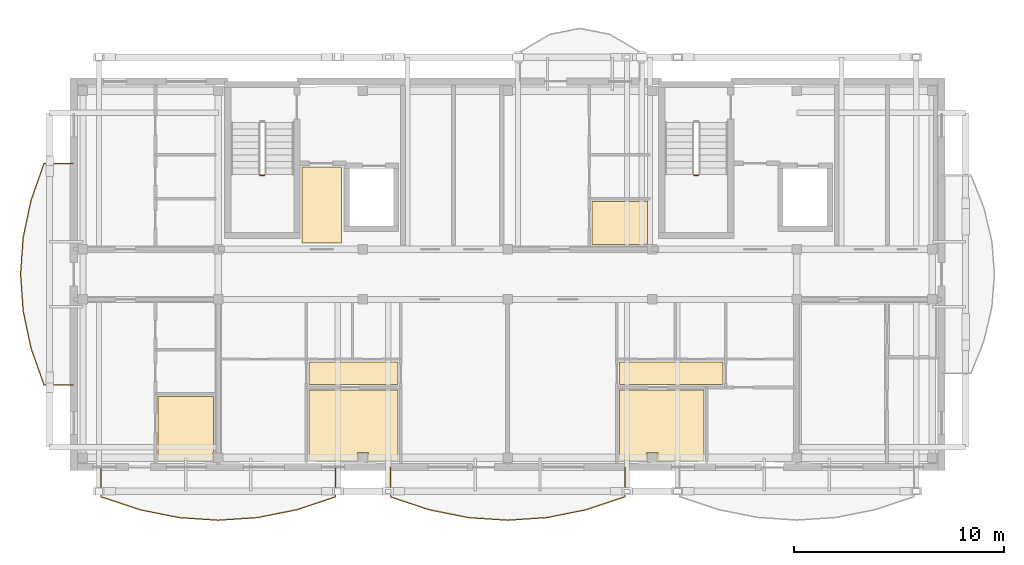
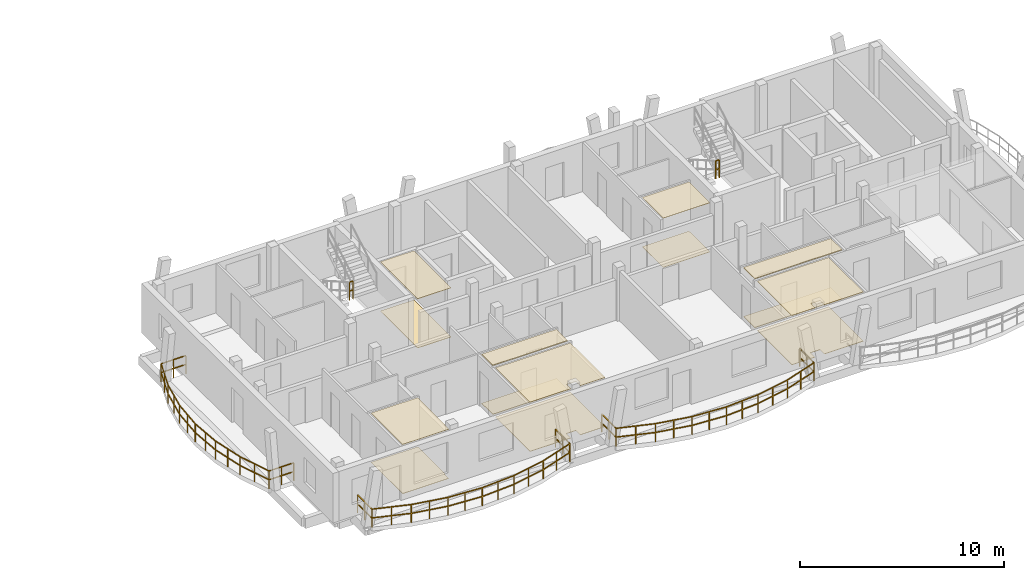
# One storey, part 23 of 29: 14 coverings, 5 railings.
"""IFC4 building model written with IfcOpenShell, lengths in metres."""

from ifc_helpers import new_model, si_unit, direction, frame, origin, origin_2d, place, context, subcontext, project, spatial, polyline, rectangle, outline, extrude, material, layer, layer_set, type_object, element, save


model = new_model("IFC4")

# Units and contexts
model_context = context("Model", 3, precision=1e-05, world=origin(), true_north=direction((0.0, 1.0)))
body_context = subcontext(model_context, "Body", "Model", "MODEL_VIEW")
ifc_project = project(units=[si_unit("LENGTHUNIT", "METRE"), si_unit("AREAUNIT", "SQUARE_METRE"), si_unit("VOLUMEUNIT", "CUBIC_METRE"), si_unit("PLANEANGLEUNIT", "RADIAN"), si_unit("MASSUNIT", "GRAM", prefix="KILO")], contexts=[model_context])

# Site, building, storey
site_placement = place(None, origin())
site = spatial("IfcSite", under=ifc_project, at=site_placement, CompositionType="ELEMENT")
building_placement = place(site_placement, origin())
building = spatial("IfcBuilding", under=site, at=building_placement, Name="Zavelmont Quarter", CompositionType="ELEMENT")
storey_placement = place(building_placement, frame((0.0, 0.0, 33.60009765625)))
storey = spatial("IfcBuildingStorey", under=building, at=storey_placement, Name="L10", CompositionType="ELEMENT", Elevation=33.60009765625)

# Coverings
ifc_material_1 = material(Name="Perforated acoustic gypsum board")
ifc_layer_1 = layer(ifc_material_1, 0.02490234375)
ifc_layer_set_1 = layer_set([ifc_layer_1], Name="Perforated acoustic gypsum board")
covering_type_1 = type_object("IfcCoveringType", Name="CV-CL01", PredefinedType="CEILING", material=ifc_layer_set_1)
covering_1_placement = place(storey_placement, frame((0.0, 0.0, 2.934814453125)))
element("IfcCovering", 1, at=covering_1_placement, inside=storey, type_object=covering_type_1, Name="L10 Lobby Vestibule acoustic ceiling", PredefinedType="CEILING", context=body_context, shape_type="SweptSolid", body=[
    extrude(outline(polyline([(10.8798828125, 14.320068359375), (12.77001953125, 14.320068359375), (12.77001953125, 10.679931640625), (10.8798828125, 10.679931640625), (10.8798828125, 14.320068359375)])), origin(), (0.0, 0.0, 1.0), 0.025146484375),
])
covering_2_placement = place(storey_placement, frame((0.0, 0.0, 2.934814453125)))
element("IfcCovering", 2, at=covering_2_placement, inside=storey, type_object=covering_type_1, Name="L10 Single Bedroom acoustic ceiling", PredefinedType="CEILING", context=body_context, shape_type="SweptSolid", body=[
    extrude(outline(polyline([(4.030029296875, 3.3701171875), (6.669921875, 3.3701171875), (6.669921875, 0.705078125), (6.635009765625, 0.705078125), (6.635009765625, 0.280029296875), (4.030029296875, 0.280029296875), (4.030029296875, 3.3701171875)])), origin(), (0.0, 0.0, 1.0), 0.025146484375),
])
covering_3_placement = place(storey_placement, frame((0.0, 0.0, 2.934814453125)))
element("IfcCovering", 3, at=covering_3_placement, inside=storey, type_object=covering_type_1, Name="L10 Master Bedroom acoustic ceiling", PredefinedType="CEILING", context=body_context, shape_type="SweptSolid", body=[
    extrude(outline(polyline([(11.22998046875, 3.669921875), (15.469970703125, 3.669921875), (15.469970703125, 0.280029296875), (14.06494140625, 0.280029296875), (14.06494140625, 0.705078125), (13.534912109375, 0.705078125), (13.534912109375, 0.280029296875), (11.22998046875, 0.280029296875), (11.22998046875, 3.669921875)])), origin(), (0.0, 0.0, 1.0), 0.025146484375),
])
covering_4_placement = place(storey_placement, frame((0.0, 0.0, 2.934814453125)))
element("IfcCovering", 4, at=covering_4_placement, inside=storey, type_object=covering_type_1, Name="L10 Master Bedroom acoustic ceiling", PredefinedType="CEILING", context=body_context, shape_type="SweptSolid", body=[
    extrude(outline(polyline([(26.030029296875, 3.669921875), (30.070068359375, 3.669921875), (30.070068359375, 0.280029296875), (27.864990234375, 0.280029296875), (27.864990234375, 0.705078125), (27.3349609375, 0.705078125), (27.3349609375, 0.280029296875), (26.030029296875, 0.280029296875), (26.030029296875, 3.669921875)])), origin(), (0.0, 0.0, 1.0), 0.025146484375),
])
covering_5_placement = place(storey_placement, frame((0.0, 0.0, 2.934814453125)))
element("IfcCovering", 5, at=covering_5_placement, inside=storey, type_object=covering_type_1, Name="L10 Kitchen acoustic ceiling", PredefinedType="CEILING", context=body_context, shape_type="SweptSolid", body=[
    extrude(outline(polyline([(24.72998046875, 12.669921875), (27.3701171875, 12.669921875), (27.3701171875, 10.6650390625), (27.3349609375, 10.6650390625), (27.3349609375, 10.6298828125), (24.72998046875, 10.6298828125), (24.72998046875, 12.669921875)])), origin(), (0.0, 0.0, 1.0), 0.025146484375),
])
ifc_material_2 = material(Name="Slatted European ash acoustic baffle ceiling")
ifc_layer_2 = layer(ifc_material_2, 0.0400390625)
ifc_layer_set_2 = layer_set([ifc_layer_2], Name="Slatted European ash acoustic baffle ceiling")
covering_type_2 = type_object("IfcCoveringType", Name="CV-CL02", PredefinedType="CEILING", material=ifc_layer_set_2)
covering_6_placement = place(storey_placement, frame((0.0, 0.0, 2.919921875)))
element("IfcCovering", 6, at=covering_6_placement, inside=storey, type_object=covering_type_2, Name="L10 Apartment Hall acoustic ceiling", PredefinedType="CEILING", context=body_context, shape_type="SweptSolid", body=[
    extrude(outline(polyline([(11.22998046875, 5.02001953125), (15.469970703125, 5.02001953125), (15.469970703125, 3.929931640625), (11.22998046875, 3.929931640625), (11.22998046875, 5.02001953125)])), origin(), (0.0, 0.0, 1.0), 0.0400390625),
])
covering_7_placement = place(storey_placement, frame((0.0, 0.0, 2.919921875)))
element("IfcCovering", 7, at=covering_7_placement, inside=storey, type_object=covering_type_2, Name="L10 Apartment Hall acoustic ceiling", PredefinedType="CEILING", context=body_context, shape_type="SweptSolid", body=[
    extrude(outline(polyline([(26.030029296875, 5.02001953125), (30.969970703125, 5.02001953125), (30.969970703125, 3.929931640625), (26.030029296875, 3.929931640625), (26.030029296875, 5.02001953125)])), origin(), (0.0, 0.0, 1.0), 0.0400390625),
])
ifc_material_3 = material(Name="Engineered European oak parquet")
ifc_layer_3 = layer(ifc_material_3, 0.02197265625)
ifc_layer_set_3 = layer_set([ifc_layer_3], Name="Engineered European oak parquet")
covering_type_3 = type_object("IfcCoveringType", Name="CV-FL01", PredefinedType="FLOORING", material=ifc_layer_set_3)
covering_8_placement = place(storey_placement, origin())
element("IfcCovering", 8, at=covering_8_placement, inside=storey, type_object=covering_type_3, Name="L10 Lobby Vestibule floor finish", PredefinedType="FLOORING", context=body_context, shape_type="SweptSolid", body=[
    extrude(outline(polyline([(10.8798828125, 14.320068359375), (12.77001953125, 14.320068359375), (12.77001953125, 10.679931640625), (10.8798828125, 10.679931640625), (10.8798828125, 14.320068359375)])), origin(), (0.0, 0.0, 1.0), 0.02197265625),
])
covering_9_placement = place(storey_placement, origin())
element("IfcCovering", 9, at=covering_9_placement, inside=storey, type_object=covering_type_3, Name="L10 Single Bedroom floor finish", PredefinedType="FLOORING", context=body_context, shape_type="SweptSolid", body=[
    extrude(outline(polyline([(4.030029296875, 3.3701171875), (6.669921875, 3.3701171875), (6.669921875, 0.705078125), (6.635009765625, 0.705078125), (6.635009765625, 0.280029296875), (4.030029296875, 0.280029296875), (4.030029296875, 3.3701171875)])), origin(), (0.0, 0.0, 1.0), 0.02197265625),
])
covering_10_placement = place(storey_placement, origin())
element("IfcCovering", 10, at=covering_10_placement, inside=storey, type_object=covering_type_3, Name="L10 Master Bedroom floor finish", PredefinedType="FLOORING", context=body_context, shape_type="SweptSolid", body=[
    extrude(outline(polyline([(11.22998046875, 3.669921875), (15.469970703125, 3.669921875), (15.469970703125, 0.280029296875), (14.06494140625, 0.280029296875), (14.06494140625, 0.705078125), (13.534912109375, 0.705078125), (13.534912109375, 0.280029296875), (11.22998046875, 0.280029296875), (11.22998046875, 3.669921875)])), origin(), (0.0, 0.0, 1.0), 0.02197265625),
])
covering_11_placement = place(storey_placement, origin())
element("IfcCovering", 11, at=covering_11_placement, inside=storey, type_object=covering_type_3, Name="L10 Master Bedroom floor finish", PredefinedType="FLOORING", context=body_context, shape_type="SweptSolid", body=[
    extrude(outline(polyline([(26.030029296875, 3.669921875), (30.070068359375, 3.669921875), (30.070068359375, 0.280029296875), (27.864990234375, 0.280029296875), (27.864990234375, 0.705078125), (27.3349609375, 0.705078125), (27.3349609375, 0.280029296875), (26.030029296875, 0.280029296875), (26.030029296875, 3.669921875)])), origin(), (0.0, 0.0, 1.0), 0.02197265625),
])
covering_12_placement = place(storey_placement, origin())
element("IfcCovering", 12, at=covering_12_placement, inside=storey, type_object=covering_type_3, Name="L10 Kitchen floor finish", PredefinedType="FLOORING", context=body_context, shape_type="SweptSolid", body=[
    extrude(outline(polyline([(24.72998046875, 12.669921875), (27.3701171875, 12.669921875), (27.3701171875, 10.6650390625), (27.3349609375, 10.6650390625), (27.3349609375, 10.6298828125), (24.72998046875, 10.6298828125), (24.72998046875, 12.669921875)])), origin(), (0.0, 0.0, 1.0), 0.02197265625),
])
ifc_material_4 = material(Name="Honed Belgian bluestone tile", Category="masonry")
ifc_layer_4 = layer(ifc_material_4, 0.030029296875)
ifc_layer_set_4 = layer_set([ifc_layer_4], Name="Honed Belgian bluestone tile")
covering_type_4 = type_object("IfcCoveringType", Name="CV-FL02", PredefinedType="FLOORING", material=ifc_layer_set_4)
covering_13_placement = place(storey_placement, origin())
element("IfcCovering", 13, at=covering_13_placement, inside=storey, type_object=covering_type_4, Name="L10 Apartment Hall floor finish", PredefinedType="FLOORING", context=body_context, shape_type="SweptSolid", body=[
    extrude(outline(polyline([(11.22998046875, 5.02001953125), (15.469970703125, 5.02001953125), (15.469970703125, 3.929931640625), (11.22998046875, 3.929931640625), (11.22998046875, 5.02001953125)])), origin(), (0.0, 0.0, 1.0), 0.02978515625),
])
covering_14_placement = place(storey_placement, origin())
element("IfcCovering", 14, at=covering_14_placement, inside=storey, type_object=covering_type_4, Name="L10 Apartment Hall floor finish", PredefinedType="FLOORING", context=body_context, shape_type="SweptSolid", body=[
    extrude(outline(polyline([(26.030029296875, 5.02001953125), (30.969970703125, 5.02001953125), (30.969970703125, 3.929931640625), (26.030029296875, 3.929931640625), (26.030029296875, 5.02001953125)])), origin(), (0.0, 0.0, 1.0), 0.02978515625),
])

# Railings
ifc_material_5 = material(Name="Powder-coated steel and tempered double safety glass", Category="steel")
railing_type_1 = type_object("IfcRailingType", Name="RL-BAL1", PredefinedType="BALUSTRADE", material=ifc_material_5)
railing_1_placement = place(storey_placement, frame((1.305419921875, -0.02001953125, 0.0)))
element("IfcRailing", 15, at=railing_1_placement, inside=storey, type_object=railing_type_1, Name="L10 Block A curved balcony guard RL-BAL1", PredefinedType="BALUSTRADE", context=body_context, shape_type="SweptSolid", body=[
    extrude(rectangle(XDim=0.048095703125, YDim=0.048095703125, at=origin_2d()), frame((0.0, 0.0, 1.076171875), z_axis=(0.0, -1.0, 0.0), x_axis=(1.0, 0.0, 0.0)), (0.0, 0.0, 1.0), 1.4013671875),
    extrude(rectangle(XDim=0.048095703125, YDim=0.048095703125, at=origin_2d()), frame((0.0, 0.0, 0.550048828125), z_axis=(0.0, -1.0, 0.0), x_axis=(1.0, 0.0, 0.0)), (0.0, 0.0, 1.0), 1.4013671875),
    extrude(rectangle(XDim=0.048095703125, YDim=0.048095703125, at=origin_2d()), frame((0.0, -1.4013671875, 1.076171875), z_axis=(0.948869478483, -0.315668675677, 0.0), x_axis=(0.315668675677, 0.948869478483, 0.0)), (0.0, 0.0, 1.0), 1.96533203125),
    extrude(rectangle(XDim=0.048095703125, YDim=0.048095703125, at=origin_2d()), frame((0.0, -1.4013671875, 0.550048828125), z_axis=(0.948869478483, -0.315668675677, 0.0), x_axis=(0.315668675677, 0.948869478483, 0.0)), (0.0, 0.0, 1.0), 1.96533203125),
    extrude(rectangle(XDim=0.048095703125, YDim=0.048095703125, at=origin_2d()), frame((1.86474609375, -2.021728515625, 1.076171875), z_axis=(0.980674377697, -0.195647041708, 0.0), x_axis=(0.195647041708, 0.980674377697, 0.0)), (0.0, 0.0, 1.0), 1.90185546875),
    extrude(rectangle(XDim=0.048095703125, YDim=0.048095703125, at=origin_2d()), frame((1.86474609375, -2.021728515625, 0.550048828125), z_axis=(0.980674377697, -0.195647041708, 0.0), x_axis=(0.195647041708, 0.980674377697, 0.0)), (0.0, 0.0, 1.0), 1.90185546875),
    extrude(rectangle(XDim=0.048095703125, YDim=0.048095703125, at=origin_2d()), frame((3.729736328125, -2.393798828125, 1.076171875), z_axis=(0.997786891605, -0.066492999192, 0.0), x_axis=(0.066492999192, 0.997786891605, 0.0)), (0.0, 0.0, 1.0), 1.868896484375),
    extrude(rectangle(XDim=0.048095703125, YDim=0.048095703125, at=origin_2d()), frame((3.729736328125, -2.393798828125, 0.550048828125), z_axis=(0.997786891605, -0.066492999192, 0.0), x_axis=(0.066492999192, 0.997786891605, 0.0)), (0.0, 0.0, 1.0), 1.868896484375),
    extrude(rectangle(XDim=0.048095703125, YDim=0.048095703125, at=origin_2d()), frame((5.594482421875, -2.51806640625, 1.076171875), z_axis=(0.997787469069, 0.066484333258, 0.0), x_axis=(-0.066484333258, 0.997787469069, 0.0)), (0.0, 0.0, 1.0), 1.869140625),
    extrude(rectangle(XDim=0.048095703125, YDim=0.048095703125, at=origin_2d()), frame((5.594482421875, -2.51806640625, 0.550048828125), z_axis=(0.997787469069, 0.066484333258, 0.0), x_axis=(-0.066484333258, 0.997787469069, 0.0)), (0.0, 0.0, 1.0), 1.869140625),
    extrude(rectangle(XDim=0.048095703125, YDim=0.048095703125, at=origin_2d()), frame((7.45947265625, -2.393798828125, 1.076171875), z_axis=(0.980674377697, 0.195647041708, 0.0), x_axis=(-0.195647041708, 0.980674377697, 0.0)), (0.0, 0.0, 1.0), 1.90185546875),
    extrude(rectangle(XDim=0.048095703125, YDim=0.048095703125, at=origin_2d()), frame((7.45947265625, -2.393798828125, 0.550048828125), z_axis=(0.980674377697, 0.195647041708, 0.0), x_axis=(-0.195647041708, 0.980674377697, 0.0)), (0.0, 0.0, 1.0), 1.90185546875),
    extrude(rectangle(XDim=0.048095703125, YDim=0.048095703125, at=origin_2d()), frame((9.324462890625, -2.021728515625, 1.076171875), z_axis=(0.948869478483, 0.315668675677, 0.0), x_axis=(-0.315668675677, 0.948869478483, 0.0)), (0.0, 0.0, 1.0), 1.96533203125),
    extrude(rectangle(XDim=0.048095703125, YDim=0.048095703125, at=origin_2d()), frame((9.324462890625, -2.021728515625, 0.550048828125), z_axis=(0.948869478483, 0.315668675677, 0.0), x_axis=(-0.315668675677, 0.948869478483, 0.0)), (0.0, 0.0, 1.0), 1.96533203125),
    extrude(rectangle(XDim=0.048095703125, YDim=0.048095703125, at=origin_2d()), frame((11.189208984375, -1.4013671875, 1.076171875), z_axis=(0.0, 1.0, 0.0), x_axis=(-1.0, 0.0, 0.0)), (0.0, 0.0, 1.0), 1.4013671875),
    extrude(rectangle(XDim=0.048095703125, YDim=0.048095703125, at=origin_2d()), frame((11.189208984375, -1.4013671875, 0.550048828125), z_axis=(0.0, 1.0, 0.0), x_axis=(-1.0, 0.0, 0.0)), (0.0, 0.0, 1.0), 1.4013671875),
    extrude(rectangle(XDim=0.0419921875, YDim=0.0419921875, at=origin_2d()), origin(), (0.0, 0.0, 1.0), 1.052001953125),
    extrude(rectangle(XDim=0.0419921875, YDim=0.0419921875, at=origin_2d()), frame((0.0, -0.70068359375, 0.0)), (0.0, 0.0, 1.0), 1.052001953125),
    extrude(rectangle(XDim=0.0419921875, YDim=0.0419921875, at=origin_2d()), frame((0.0, -1.4013671875, 0.0)), (0.0, 0.0, 1.0), 1.052001953125),
    extrude(rectangle(XDim=0.0419921875, YDim=0.0419921875, at=origin_2d()), frame((0.932373046875, -1.71142578125, 0.0)), (0.0, 0.0, 1.0), 1.052001953125),
    extrude(rectangle(XDim=0.0419921875, YDim=0.0419921875, at=origin_2d()), frame((1.86474609375, -2.021728515625, 0.0)), (0.0, 0.0, 1.0), 1.052001953125),
    extrude(rectangle(XDim=0.0419921875, YDim=0.0419921875, at=origin_2d()), frame((2.79736328125, -2.207763671875, 0.0)), (0.0, 0.0, 1.0), 1.052001953125),
    extrude(rectangle(XDim=0.0419921875, YDim=0.0419921875, at=origin_2d()), frame((3.729736328125, -2.393798828125, 0.0)), (0.0, 0.0, 1.0), 1.052001953125),
    extrude(rectangle(XDim=0.0419921875, YDim=0.0419921875, at=origin_2d()), frame((4.662109375, -2.4560546875, 0.0)), (0.0, 0.0, 1.0), 1.052001953125),
    extrude(rectangle(XDim=0.0419921875, YDim=0.0419921875, at=origin_2d()), frame((5.594482421875, -2.51806640625, 0.0)), (0.0, 0.0, 1.0), 1.052001953125),
    extrude(rectangle(XDim=0.0419921875, YDim=0.0419921875, at=origin_2d()), frame((6.52685546875, -2.4560546875, 0.0)), (0.0, 0.0, 1.0), 1.052001953125),
    extrude(rectangle(XDim=0.0419921875, YDim=0.0419921875, at=origin_2d()), frame((7.45947265625, -2.393798828125, 0.0)), (0.0, 0.0, 1.0), 1.052001953125),
    extrude(rectangle(XDim=0.0419921875, YDim=0.0419921875, at=origin_2d()), frame((8.39208984375, -2.207763671875, 0.0)), (0.0, 0.0, 1.0), 1.052001953125),
    extrude(rectangle(XDim=0.0419921875, YDim=0.0419921875, at=origin_2d()), frame((9.324462890625, -2.021728515625, 0.0)), (0.0, 0.0, 1.0), 1.052001953125),
    extrude(rectangle(XDim=0.0419921875, YDim=0.0419921875, at=origin_2d()), frame((10.2568359375, -1.71142578125, 0.0)), (0.0, 0.0, 1.0), 1.052001953125),
    extrude(rectangle(XDim=0.0419921875, YDim=0.0419921875, at=origin_2d()), frame((11.189208984375, -1.4013671875, 0.0)), (0.0, 0.0, 1.0), 1.052001953125),
    extrude(rectangle(XDim=0.0419921875, YDim=0.0419921875, at=origin_2d()), frame((11.189208984375, -0.70068359375, 0.0)), (0.0, 0.0, 1.0), 1.052001953125),
    extrude(rectangle(XDim=0.0419921875, YDim=0.0419921875, at=origin_2d()), frame((11.189208984375, 0.0, 0.0)), (0.0, 0.0, 1.0), 1.052001953125),
])
railing_2_placement = place(storey_placement, frame((15.105224609375, -0.02001953125, 0.0)))
element("IfcRailing", 16, at=railing_2_placement, inside=storey, type_object=railing_type_1, Name="L10 Block A curved balcony guard RL-BAL1", PredefinedType="BALUSTRADE", context=body_context, shape_type="SweptSolid", body=[
    extrude(rectangle(XDim=0.048095703125, YDim=0.048095703125, at=origin_2d()), frame((0.0, 0.0, 1.076171875), z_axis=(0.0, -1.0, 0.0), x_axis=(1.0, 0.0, 0.0)), (0.0, 0.0, 1.0), 1.4013671875),
    extrude(rectangle(XDim=0.048095703125, YDim=0.048095703125, at=origin_2d()), frame((0.0, 0.0, 0.550048828125), z_axis=(0.0, -1.0, 0.0), x_axis=(1.0, 0.0, 0.0)), (0.0, 0.0, 1.0), 1.4013671875),
    extrude(rectangle(XDim=0.048095703125, YDim=0.048095703125, at=origin_2d()), frame((0.0, -1.4013671875, 1.076171875), z_axis=(0.948881855415, -0.315631469382, 0.0), x_axis=(0.315631469382, 0.948881855415, 0.0)), (0.0, 0.0, 1.0), 1.965576171875),
    extrude(rectangle(XDim=0.048095703125, YDim=0.048095703125, at=origin_2d()), frame((0.0, -1.4013671875, 0.550048828125), z_axis=(0.948881855415, -0.315631469382, 0.0), x_axis=(0.315631469382, 0.948881855415, 0.0)), (0.0, 0.0, 1.0), 1.965576171875),
    extrude(rectangle(XDim=0.048095703125, YDim=0.048095703125, at=origin_2d()), frame((1.864990234375, -2.021728515625, 1.076171875), z_axis=(0.980674377697, -0.195647041708, 0.0), x_axis=(0.195647041708, 0.980674377697, 0.0)), (0.0, 0.0, 1.0), 1.90185546875),
    extrude(rectangle(XDim=0.048095703125, YDim=0.048095703125, at=origin_2d()), frame((1.864990234375, -2.021728515625, 0.550048828125), z_axis=(0.980674377697, -0.195647041708, 0.0), x_axis=(0.195647041708, 0.980674377697, 0.0)), (0.0, 0.0, 1.0), 1.90185546875),
    extrude(rectangle(XDim=0.048095703125, YDim=0.048095703125, at=origin_2d()), frame((3.72998046875, -2.393798828125, 1.076171875), z_axis=(0.997786891605, -0.066492999192, 0.0), x_axis=(0.066492999192, 0.997786891605, 0.0)), (0.0, 0.0, 1.0), 1.868896484375),
    extrude(rectangle(XDim=0.048095703125, YDim=0.048095703125, at=origin_2d()), frame((3.72998046875, -2.393798828125, 0.550048828125), z_axis=(0.997786891605, -0.066492999192, 0.0), x_axis=(0.066492999192, 0.997786891605, 0.0)), (0.0, 0.0, 1.0), 1.868896484375),
    extrude(rectangle(XDim=0.048095703125, YDim=0.048095703125, at=origin_2d()), frame((5.5947265625, -2.51806640625, 1.076171875), z_axis=(0.997787469069, 0.066484333258, 0.0), x_axis=(-0.066484333258, 0.997787469069, 0.0)), (0.0, 0.0, 1.0), 1.869140625),
    extrude(rectangle(XDim=0.048095703125, YDim=0.048095703125, at=origin_2d()), frame((5.5947265625, -2.51806640625, 0.550048828125), z_axis=(0.997787469069, 0.066484333258, 0.0), x_axis=(-0.066484333258, 0.997787469069, 0.0)), (0.0, 0.0, 1.0), 1.869140625),
    extrude(rectangle(XDim=0.048095703125, YDim=0.048095703125, at=origin_2d()), frame((7.459716796875, -2.393798828125, 1.076171875), z_axis=(0.980669462772, 0.195671675997, 0.0), x_axis=(-0.195671675997, 0.980669462772, 0.0)), (0.0, 0.0, 1.0), 1.901611328125),
    extrude(rectangle(XDim=0.048095703125, YDim=0.048095703125, at=origin_2d()), frame((7.459716796875, -2.393798828125, 0.550048828125), z_axis=(0.980669462772, 0.195671675997, 0.0), x_axis=(-0.195671675997, 0.980669462772, 0.0)), (0.0, 0.0, 1.0), 1.901611328125),
    extrude(rectangle(XDim=0.048095703125, YDim=0.048095703125, at=origin_2d()), frame((9.324462890625, -2.021728515625, 1.076171875), z_axis=(0.948881855415, 0.315631469382, 0.0), x_axis=(-0.315631469382, 0.948881855415, 0.0)), (0.0, 0.0, 1.0), 1.965576171875),
    extrude(rectangle(XDim=0.048095703125, YDim=0.048095703125, at=origin_2d()), frame((9.324462890625, -2.021728515625, 0.550048828125), z_axis=(0.948881855415, 0.315631469382, 0.0), x_axis=(-0.315631469382, 0.948881855415, 0.0)), (0.0, 0.0, 1.0), 1.965576171875),
    extrude(rectangle(XDim=0.048095703125, YDim=0.048095703125, at=origin_2d()), frame((11.189453125, -1.4013671875, 1.076171875), z_axis=(0.0, 1.0, 0.0), x_axis=(-1.0, 0.0, 0.0)), (0.0, 0.0, 1.0), 1.4013671875),
    extrude(rectangle(XDim=0.048095703125, YDim=0.048095703125, at=origin_2d()), frame((11.189453125, -1.4013671875, 0.550048828125), z_axis=(0.0, 1.0, 0.0), x_axis=(-1.0, 0.0, 0.0)), (0.0, 0.0, 1.0), 1.4013671875),
    extrude(rectangle(XDim=0.0419921875, YDim=0.0419921875, at=origin_2d()), origin(), (0.0, 0.0, 1.0), 1.052001953125),
    extrude(rectangle(XDim=0.0419921875, YDim=0.0419921875, at=origin_2d()), frame((0.0, -0.70068359375, 0.0)), (0.0, 0.0, 1.0), 1.052001953125),
    extrude(rectangle(XDim=0.0419921875, YDim=0.0419921875, at=origin_2d()), frame((0.0, -1.4013671875, 0.0)), (0.0, 0.0, 1.0), 1.052001953125),
    extrude(rectangle(XDim=0.0419921875, YDim=0.0419921875, at=origin_2d()), frame((0.9326171875, -1.71142578125, 0.0)), (0.0, 0.0, 1.0), 1.052001953125),
    extrude(rectangle(XDim=0.0419921875, YDim=0.0419921875, at=origin_2d()), frame((1.864990234375, -2.021728515625, 0.0)), (0.0, 0.0, 1.0), 1.052001953125),
    extrude(rectangle(XDim=0.0419921875, YDim=0.0419921875, at=origin_2d()), frame((2.79736328125, -2.207763671875, 0.0)), (0.0, 0.0, 1.0), 1.052001953125),
    extrude(rectangle(XDim=0.0419921875, YDim=0.0419921875, at=origin_2d()), frame((3.72998046875, -2.393798828125, 0.0)), (0.0, 0.0, 1.0), 1.052001953125),
    extrude(rectangle(XDim=0.0419921875, YDim=0.0419921875, at=origin_2d()), frame((4.662353515625, -2.4560546875, 0.0)), (0.0, 0.0, 1.0), 1.052001953125),
    extrude(rectangle(XDim=0.0419921875, YDim=0.0419921875, at=origin_2d()), frame((5.5947265625, -2.51806640625, 0.0)), (0.0, 0.0, 1.0), 1.052001953125),
    extrude(rectangle(XDim=0.0419921875, YDim=0.0419921875, at=origin_2d()), frame((6.52734375, -2.4560546875, 0.0)), (0.0, 0.0, 1.0), 1.052001953125),
    extrude(rectangle(XDim=0.0419921875, YDim=0.0419921875, at=origin_2d()), frame((7.459716796875, -2.393798828125, 0.0)), (0.0, 0.0, 1.0), 1.052001953125),
    extrude(rectangle(XDim=0.0419921875, YDim=0.0419921875, at=origin_2d()), frame((8.39208984375, -2.207763671875, 0.0)), (0.0, 0.0, 1.0), 1.052001953125),
    extrude(rectangle(XDim=0.0419921875, YDim=0.0419921875, at=origin_2d()), frame((9.324462890625, -2.021728515625, 0.0)), (0.0, 0.0, 1.0), 1.052001953125),
    extrude(rectangle(XDim=0.0419921875, YDim=0.0419921875, at=origin_2d()), frame((10.2568359375, -1.71142578125, 0.0)), (0.0, 0.0, 1.0), 1.052001953125),
    extrude(rectangle(XDim=0.0419921875, YDim=0.0419921875, at=origin_2d()), frame((11.189453125, -1.4013671875, 0.0)), (0.0, 0.0, 1.0), 1.052001953125),
    extrude(rectangle(XDim=0.0419921875, YDim=0.0419921875, at=origin_2d()), frame((11.189453125, -0.70068359375, 0.0)), (0.0, 0.0, 1.0), 1.052001953125),
    extrude(rectangle(XDim=0.0419921875, YDim=0.0419921875, at=origin_2d()), frame((11.189453125, 0.0, 0.0)), (0.0, 0.0, 1.0), 1.052001953125),
])
railing_3_placement = place(storey_placement, frame((-0.02001953125, 14.479736328125, 0.0)))
element("IfcRailing", 17, at=railing_3_placement, inside=storey, type_object=railing_type_1, Name="L10 Block A curved balcony guard RL-BAL1", PredefinedType="BALUSTRADE", context=body_context, shape_type="SweptSolid", body=[
    extrude(rectangle(XDim=0.048095703125, YDim=0.048095703125, at=origin_2d()), frame((0.0, 0.0, 1.076171875), z_axis=(-1.0, 0.0, 0.0), x_axis=(0.0, -1.0, 0.0)), (0.0, 0.0, 1.0), 1.4013671875),
    extrude(rectangle(XDim=0.048095703125, YDim=0.048095703125, at=origin_2d()), frame((0.0, 0.0, 0.550048828125), z_axis=(-1.0, 0.0, 0.0), x_axis=(0.0, -1.0, 0.0)), (0.0, 0.0, 1.0), 1.4013671875),
    extrude(rectangle(XDim=0.048095703125, YDim=0.048095703125, at=origin_2d()), frame((-1.4013671875, 0.0, 1.076171875), z_axis=(-0.332471047137, -0.943113462323, 0.0), x_axis=(0.943113462323, -0.332471047137, 0.0)), (0.0, 0.0, 1.0), 1.865966796875),
    extrude(rectangle(XDim=0.048095703125, YDim=0.048095703125, at=origin_2d()), frame((-1.4013671875, 0.0, 0.550048828125), z_axis=(-0.332471047137, -0.943113462323, 0.0), x_axis=(0.943113462323, -0.332471047137, 0.0)), (0.0, 0.0, 1.0), 1.865966796875),
    extrude(rectangle(XDim=0.048095703125, YDim=0.048095703125, at=origin_2d()), frame((-2.021728515625, -1.759765625, 1.076171875), z_axis=(-0.206831184393, -0.978376645859, 0.0), x_axis=(0.978376645859, -0.206831184393, 0.0)), (0.0, 0.0, 1.0), 1.798828125),
    extrude(rectangle(XDim=0.048095703125, YDim=0.048095703125, at=origin_2d()), frame((-2.021728515625, -1.759765625, 0.550048828125), z_axis=(-0.206831184393, -0.978376645859, 0.0), x_axis=(0.978376645859, -0.206831184393, 0.0)), (0.0, 0.0, 1.0), 1.798828125),
    extrude(rectangle(XDim=0.048095703125, YDim=0.048095703125, at=origin_2d()), frame((-2.393798828125, -3.519775390625, 1.076171875), z_axis=(-0.070430847851, -0.997516664358, 0.0), x_axis=(0.997516664358, -0.070430847851, 0.0)), (0.0, 0.0, 1.0), 1.764404296875),
    extrude(rectangle(XDim=0.048095703125, YDim=0.048095703125, at=origin_2d()), frame((-2.393798828125, -3.519775390625, 0.550048828125), z_axis=(-0.070430847851, -0.997516664358, 0.0), x_axis=(0.997516664358, -0.070430847851, 0.0)), (0.0, 0.0, 1.0), 1.764404296875),
    extrude(rectangle(XDim=0.048095703125, YDim=0.048095703125, at=origin_2d()), frame((-2.51806640625, -5.27978515625, 1.076171875), z_axis=(0.070440570576, -0.997515977825, 0.0), x_axis=(0.997515977825, 0.070440570576, 0.0)), (0.0, 0.0, 1.0), 1.76416015625),
    extrude(rectangle(XDim=0.048095703125, YDim=0.048095703125, at=origin_2d()), frame((-2.51806640625, -5.27978515625, 0.550048828125), z_axis=(0.070440570576, -0.997515977825, 0.0), x_axis=(0.997515977825, 0.070440570576, 0.0)), (0.0, 0.0, 1.0), 1.76416015625),
    extrude(rectangle(XDim=0.048095703125, YDim=0.048095703125, at=origin_2d()), frame((-2.393798828125, -7.03955078125, 1.076171875), z_axis=(0.206831184393, -0.978376645859, 0.0), x_axis=(0.978376645859, 0.206831184393, 0.0)), (0.0, 0.0, 1.0), 1.798828125),
    extrude(rectangle(XDim=0.048095703125, YDim=0.048095703125, at=origin_2d()), frame((-2.393798828125, -7.03955078125, 0.550048828125), z_axis=(0.206831184393, -0.978376645859, 0.0), x_axis=(0.978376645859, 0.206831184393, 0.0)), (0.0, 0.0, 1.0), 1.798828125),
    extrude(rectangle(XDim=0.048095703125, YDim=0.048095703125, at=origin_2d()), frame((-2.021728515625, -8.799560546875, 1.076171875), z_axis=(0.332430025151, -0.943127922595, 0.0), x_axis=(0.943127922595, 0.332430025151, 0.0)), (0.0, 0.0, 1.0), 1.8662109375),
    extrude(rectangle(XDim=0.048095703125, YDim=0.048095703125, at=origin_2d()), frame((-2.021728515625, -8.799560546875, 0.550048828125), z_axis=(0.332430025151, -0.943127922595, 0.0), x_axis=(0.943127922595, 0.332430025151, 0.0)), (0.0, 0.0, 1.0), 1.8662109375),
    extrude(rectangle(XDim=0.048095703125, YDim=0.048095703125, at=origin_2d()), frame((-1.4013671875, -10.5595703125, 1.076171875), z_axis=(1.0, 0.0, 0.0), x_axis=(0.0, 1.0, 0.0)), (0.0, 0.0, 1.0), 1.4013671875),
    extrude(rectangle(XDim=0.048095703125, YDim=0.048095703125, at=origin_2d()), frame((-1.4013671875, -10.5595703125, 0.550048828125), z_axis=(1.0, 0.0, 0.0), x_axis=(0.0, 1.0, 0.0)), (0.0, 0.0, 1.0), 1.4013671875),
    extrude(rectangle(XDim=0.0419921875, YDim=0.0419921875, at=origin_2d()), origin(), (0.0, 0.0, 1.0), 1.052001953125),
    extrude(rectangle(XDim=0.0419921875, YDim=0.0419921875, at=origin_2d()), frame((-0.70068359375, 0.0, 0.0)), (0.0, 0.0, 1.0), 1.052001953125),
    extrude(rectangle(XDim=0.0419921875, YDim=0.0419921875, at=origin_2d()), frame((-1.4013671875, 0.0, 0.0)), (0.0, 0.0, 1.0), 1.052001953125),
    extrude(rectangle(XDim=0.0419921875, YDim=0.0419921875, at=origin_2d()), frame((-1.71142578125, -0.8798828125, 0.0)), (0.0, 0.0, 1.0), 1.052001953125),
    extrude(rectangle(XDim=0.0419921875, YDim=0.0419921875, at=origin_2d()), frame((-2.021728515625, -1.759765625, 0.0)), (0.0, 0.0, 1.0), 1.052001953125),
    extrude(rectangle(XDim=0.0419921875, YDim=0.0419921875, at=origin_2d()), frame((-2.207763671875, -2.6396484375, 0.0)), (0.0, 0.0, 1.0), 1.052001953125),
    extrude(rectangle(XDim=0.0419921875, YDim=0.0419921875, at=origin_2d()), frame((-2.393798828125, -3.519775390625, 0.0)), (0.0, 0.0, 1.0), 1.052001953125),
    extrude(rectangle(XDim=0.0419921875, YDim=0.0419921875, at=origin_2d()), frame((-2.4560546875, -4.39990234375, 0.0)), (0.0, 0.0, 1.0), 1.052001953125),
    extrude(rectangle(XDim=0.0419921875, YDim=0.0419921875, at=origin_2d()), frame((-2.51806640625, -5.27978515625, 0.0)), (0.0, 0.0, 1.0), 1.052001953125),
    extrude(rectangle(XDim=0.0419921875, YDim=0.0419921875, at=origin_2d()), frame((-2.4560546875, -6.15966796875, 0.0)), (0.0, 0.0, 1.0), 1.052001953125),
    extrude(rectangle(XDim=0.0419921875, YDim=0.0419921875, at=origin_2d()), frame((-2.393798828125, -7.03955078125, 0.0)), (0.0, 0.0, 1.0), 1.052001953125),
    extrude(rectangle(XDim=0.0419921875, YDim=0.0419921875, at=origin_2d()), frame((-2.207763671875, -7.91943359375, 0.0)), (0.0, 0.0, 1.0), 1.052001953125),
    extrude(rectangle(XDim=0.0419921875, YDim=0.0419921875, at=origin_2d()), frame((-2.021728515625, -8.799560546875, 0.0)), (0.0, 0.0, 1.0), 1.052001953125),
    extrude(rectangle(XDim=0.0419921875, YDim=0.0419921875, at=origin_2d()), frame((-1.71142578125, -9.6796875, 0.0)), (0.0, 0.0, 1.0), 1.052001953125),
    extrude(rectangle(XDim=0.0419921875, YDim=0.0419921875, at=origin_2d()), frame((-1.4013671875, -10.5595703125, 0.0)), (0.0, 0.0, 1.0), 1.052001953125),
    extrude(rectangle(XDim=0.0419921875, YDim=0.0419921875, at=origin_2d()), frame((-0.70068359375, -10.5595703125, 0.0)), (0.0, 0.0, 1.0), 1.052001953125),
    extrude(rectangle(XDim=0.0419921875, YDim=0.0419921875, at=origin_2d()), frame((0.0, -10.5595703125, 0.0)), (0.0, 0.0, 1.0), 1.052001953125),
])
ifc_material_6 = material(Name="Powder-coated steel stair guardrail", Category="steel")
railing_type_2 = type_object("IfcRailingType", Name="RL-GRD1", PredefinedType="GUARDRAIL", material=ifc_material_6)
railing_4_placement = place(storey_placement, frame((8.89990234375, 13.919921875, 1.599853515625)))
element("IfcRailing", 18, at=railing_4_placement, inside=storey, type_object=railing_type_2, Name="L10 ST01 stair guardrail 2", PredefinedType="GUARDRAIL", context=body_context, shape_type="SweptSolid", body=[
    extrude(rectangle(XDim=0.048095703125, YDim=0.048095703125, at=origin_2d()), frame((0.0, 0.0, 1.076171875), z_axis=(1.0, 0.0, 0.0), x_axis=(0.0, 1.0, 0.0)), (0.0, 0.0, 1.0), 0.2001953125),
    extrude(rectangle(XDim=0.048095703125, YDim=0.048095703125, at=origin_2d()), frame((0.0, 0.0, 0.550048828125), z_axis=(1.0, 0.0, 0.0), x_axis=(0.0, 1.0, 0.0)), (0.0, 0.0, 1.0), 0.2001953125),
    extrude(rectangle(XDim=0.0419921875, YDim=0.0419921875, at=origin_2d()), origin(), (0.0, 0.0, 1.0), 1.052001953125),
    extrude(rectangle(XDim=0.0419921875, YDim=0.0419921875, at=origin_2d()), frame((0.2001953125, 0.0, 0.0)), (0.0, 0.0, 1.0), 1.052001953125),
])
railing_5_placement = place(storey_placement, frame((29.60009765625, 13.919921875, 1.599853515625)))
element("IfcRailing", 19, at=railing_5_placement, inside=storey, type_object=railing_type_2, Name="L10 ST02 stair guardrail 2", PredefinedType="GUARDRAIL", context=body_context, shape_type="SweptSolid", body=[
    extrude(rectangle(XDim=0.048095703125, YDim=0.048095703125, at=origin_2d()), frame((0.0, 0.0, 1.076171875), z_axis=(1.0, 0.0, 0.0), x_axis=(0.0, 1.0, 0.0)), (0.0, 0.0, 1.0), 0.199951171875),
    extrude(rectangle(XDim=0.048095703125, YDim=0.048095703125, at=origin_2d()), frame((0.0, 0.0, 0.550048828125), z_axis=(1.0, 0.0, 0.0), x_axis=(0.0, 1.0, 0.0)), (0.0, 0.0, 1.0), 0.199951171875),
    extrude(rectangle(XDim=0.0419921875, YDim=0.0419921875, at=origin_2d()), origin(), (0.0, 0.0, 1.0), 1.052001953125),
    extrude(rectangle(XDim=0.0419921875, YDim=0.0419921875, at=origin_2d()), frame((0.199951171875, 0.0, 0.0)), (0.0, 0.0, 1.0), 1.052001953125),
])

save(model, "model.ifc")
